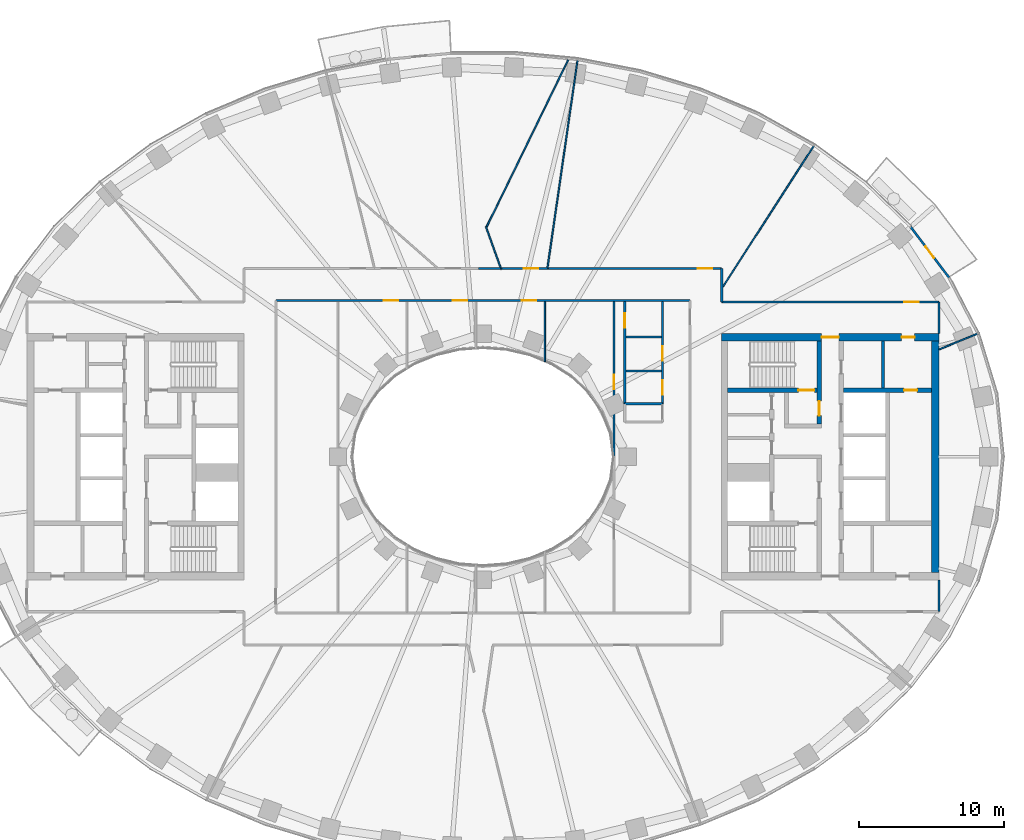
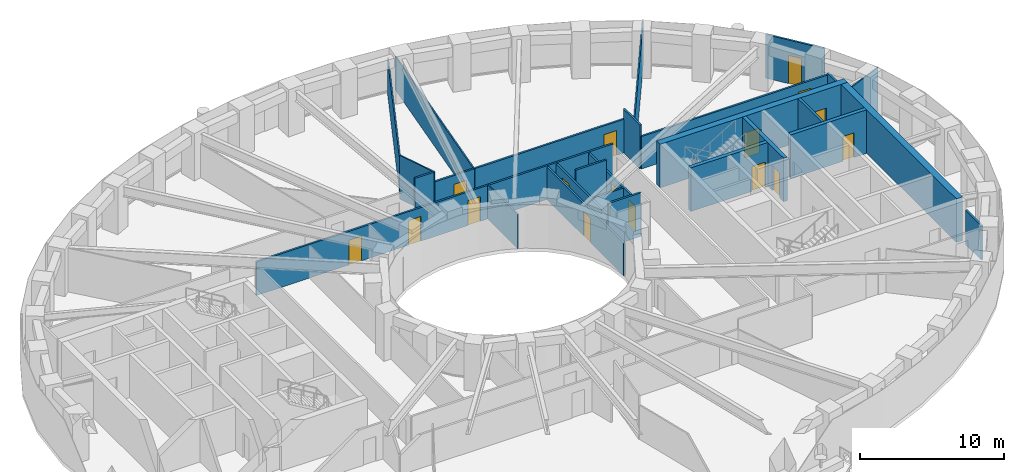
# One storey, part 6 of 16: 27 walls, 16 doors, 16 openings.
"""IFC4 building model written with IfcOpenShell, lengths in metres."""

from ifc_helpers import new_model, si_unit, direction, frame, frame_2d, origin, place, context, subcontext, project, spatial, rectangle, extrude, material, layer, layer_set, type_object, element, fill, save


model = new_model("IFC4")

# Units and contexts
model_context = context("Model", 3, precision=1e-05, world=origin(), true_north=direction((0.0, 1.0)))
body_context = subcontext(model_context, "Body", "Model", "MODEL_VIEW")
ifc_project = project(units=[si_unit("LENGTHUNIT", "METRE"), si_unit("AREAUNIT", "SQUARE_METRE"), si_unit("VOLUMEUNIT", "CUBIC_METRE"), si_unit("PLANEANGLEUNIT", "RADIAN"), si_unit("MASSUNIT", "GRAM", prefix="KILO")], contexts=[model_context])

# Site, building, storey
site_placement = place(None, origin())
site = spatial("IfcSite", under=ifc_project, at=site_placement, CompositionType="ELEMENT")
building_placement = place(site_placement, origin())
building = spatial("IfcBuilding", under=site, at=building_placement, Name="Noorbagh Ring Tower", CompositionType="ELEMENT")
storey_placement = place(building_placement, frame((0.0, 0.0, 108.0)))
storey = spatial("IfcBuildingStorey", under=building, at=storey_placement, Name="L24", CompositionType="ELEMENT", Elevation=108.0)

# Walls
ifc_material_1 = material(Name="Gypsum board on steel studs", Category="steel")
ifc_layer_1 = layer(ifc_material_1, 0.14990234375)
ifc_layer_set_1 = layer_set([ifc_layer_1], Name="Gypsum board on steel studs")
wall_type_1 = type_object("IfcWallType", Name="COMPARTMENT PARTITION 150 EI 60", PredefinedType="PARTITIONING", material=ifc_layer_set_1)
wall_1_placement = place(storey_placement, frame((9.800048828125, 3.659912109375, 0.0), z_axis=(0.0, 0.0, 1.0), x_axis=(1.0, 0.0, 0.0)))
element("IfcWall", 1, at=wall_1_placement, inside=storey, type_object=wall_type_1, Name="L24/wall/P41", PredefinedType="PARTITIONING", context=body_context, shape_type="SweptSolid", body=[
    extrude(rectangle(XDim=2.599853515625, YDim=0.14990234375, at=frame_2d((1.2998046875, 0.0))), origin(), (0.0, 0.0, 1.0), 3.699951171875),
])
ifc_material_2 = material(Name="Gypsum board on steel studs", Category="steel")
ifc_layer_2 = layer(ifc_material_2, 0.199951171875)
ifc_layer_set_2 = layer_set([ifc_layer_2], Name="Gypsum board on steel studs")
wall_type_2 = type_object("IfcWallType", Name="CORE-PARTITION-200", PredefinedType="PARTITIONING", material=ifc_layer_set_2)
wall_2_placement = place(storey_placement, frame((27.64990234375, 4.75, 0.0), z_axis=(0.0, 0.0, 1.0), x_axis=(0.0, 1.0, 0.0)))
element("IfcWall", 2, at=wall_2_placement, inside=storey, type_object=wall_type_2, Name="Core partition E", PredefinedType="PARTITIONING", context=body_context, shape_type="SweptSolid", body=[
    extrude(rectangle(XDim=3.25, YDim=0.199951171875, at=frame_2d((1.625, 0.0))), origin(), (0.0, 0.0, 1.0), 3.699951171875),
])

# Wall, opening, door
ifc_material_3 = material(Name="Concrete C70/85", Category="concrete")
ifc_layer_3 = layer(ifc_material_3, 0.300048828125)
ifc_layer_set_3 = layer_set([ifc_layer_3], Name="Concrete C70/85")
wall_type_3 = type_object("IfcWallType", Name="CORE-WALL-300-C70-85-EI240", PredefinedType="SHEAR", material=ifc_layer_set_3)
wall_3_placement = place(storey_placement, frame((24.89990234375, 4.60009765625, 0.0), z_axis=(0.0, 0.0, 1.0), x_axis=(1.0, 0.0, 0.0)))
wall_3 = element("IfcWall", 3, at=wall_3_placement, inside=storey, type_object=wall_type_3, Name="Core wall E", PredefinedType="SHEAR", context=body_context, shape_type="SweptSolid", body=[
    extrude(rectangle(XDim=6.10009765625, YDim=0.300048828125, at=frame_2d((3.050048828125, 0.0))), origin(), (0.0, 0.0, 1.0), 3.699951171875),
])
opening_1_placement = place(wall_3_placement, frame((4.199951171875, 0.0, 0.0)))
opening_1 = element("IfcOpeningElement", 4, at=opening_1_placement, cuts=wall_3, Name="Opening L24-CE18", PredefinedType="OPENING", context=body_context, shape_type="SweptSolid", body=[
    extrude(rectangle(XDim=0.89990234375, YDim=2.10009765625, at=frame_2d((0.449951171875, 1.050048828125))), frame((0.0, 0.16015625, 0.0), z_axis=(0.0, -1.0, 0.0), x_axis=(1.0, 0.0, 0.0)), (0.0, 0.0, 1.0), 0.320068359375),
])
ifc_material_4 = material(Name="Steel door leaf", Category="steel")
door_type_1 = type_object("IfcDoorType", Name="CORE-DOOR-DROOM", OperationType="SINGLE_SWING_LEFT", PredefinedType="DOOR", material=ifc_material_4)
door_1_placement = place(opening_1_placement, origin())
door_1 = element("IfcDoor", 5, at=door_1_placement, inside=storey, type_object=door_type_1, Name="Core room door L24-CE18", OperationType="SINGLE_SWING_RIGHT", OverallHeight=2.10009765625, OverallWidth=0.89990234375, PredefinedType="DOOR", context=body_context, shape_type="SweptSolid", body=[
    extrude(rectangle(XDim=0.89990234375, YDim=2.10009765625, at=frame_2d((0.449951171875, 1.050048828125))), frame((0.0, 0.02490234375, 0.0), z_axis=(0.0, -1.0, 0.0), x_axis=(1.0, 0.0, 0.0)), (0.0, 0.0, 1.0), 0.050048828125),
])
fill(opening_1, door_1)

wall_4_placement = place(storey_placement, frame((23.22998046875, 2.25, 0.0), z_axis=(0.0, 0.0, 1.0), x_axis=(0.0, 1.0, 0.0)))
wall_4 = element("IfcWall", 6, at=wall_4_placement, inside=storey, type_object=wall_type_3, Name="Core wall E", PredefinedType="SHEAR", context=body_context, shape_type="SweptSolid", body=[
    extrude(rectangle(XDim=5.75, YDim=0.300048828125, at=frame_2d((2.875, 0.0))), origin(), (0.0, 0.0, 1.0), 3.699951171875),
])
opening_2_placement = place(wall_4_placement, frame((0.60009765625, 0.0, 0.0)))
opening_2 = element("IfcOpeningElement", 7, at=opening_2_placement, cuts=wall_4, Name="Opening L24-CE08", PredefinedType="OPENING", context=body_context, shape_type="SweptSolid", body=[
    extrude(rectangle(XDim=1.0, YDim=2.10009765625, at=frame_2d((0.5, 1.050048828125))), frame((0.0, 0.16015625, 0.0), z_axis=(0.0, -1.0, 0.0), x_axis=(1.0, 0.0, 0.0)), (0.0, 0.0, 1.0), 0.320068359375),
])
ifc_material_5 = material(Name="Steel door leaf", Category="steel")
door_type_2 = type_object("IfcDoorType", Name="CORE-DOOR-DVEST", OperationType="SINGLE_SWING_LEFT", PredefinedType="DOOR", material=ifc_material_5)
door_2_placement = place(opening_2_placement, origin())
door_2 = element("IfcDoor", 8, at=door_2_placement, inside=storey, type_object=door_type_2, Name="Stair vestibule door L24-CE08", OperationType="SINGLE_SWING_RIGHT", OverallHeight=2.10009765625, OverallWidth=1.0, PredefinedType="DOOR", context=body_context, shape_type="SweptSolid", body=[
    extrude(rectangle(XDim=1.0, YDim=2.10009765625, at=frame_2d((0.5, 1.050048828125))), frame((0.0, 0.02490234375, 0.0), z_axis=(0.0, -1.0, 0.0), x_axis=(1.0, 0.0, 0.0)), (0.0, 0.0, 1.0), 0.050048828125),
])
fill(opening_2, door_2)

wall_5_placement = place(storey_placement, frame((16.89990234375, 4.60009765625, 0.0), z_axis=(0.0, 0.0, 1.0), x_axis=(1.0, 0.0, 0.0)))
wall_5 = element("IfcWall", 9, at=wall_5_placement, inside=storey, type_object=wall_type_3, Name="Core wall E", PredefinedType="SHEAR", context=body_context, shape_type="SweptSolid", body=[
    extrude(rectangle(XDim=6.18017578125, YDim=0.300048828125, at=frame_2d((3.090087890625, 0.0))), origin(), (0.0, 0.0, 1.0), 3.699951171875),
])
opening_3_placement = place(wall_5_placement, frame((4.89990234375, 0.0, 0.0)))
opening_3 = element("IfcOpeningElement", 10, at=opening_3_placement, cuts=wall_5, Name="Opening L24-CE05", PredefinedType="OPENING", context=body_context, shape_type="SweptSolid", body=[
    extrude(rectangle(XDim=1.10009765625, YDim=2.10009765625, at=frame_2d((0.550048828125, 1.050048828125))), frame((0.0, 0.16015625, 0.0), z_axis=(0.0, -1.0, 0.0), x_axis=(1.0, 0.0, 0.0)), (0.0, 0.0, 1.0), 0.320068359375),
])
ifc_material_6 = material(Name="Steel door leaf", Category="steel")
door_type_3 = type_object("IfcDoorType", Name="CORE-DOOR-DSTAIR", OperationType="SINGLE_SWING_LEFT", PredefinedType="DOOR", material=ifc_material_6)
door_3_placement = place(opening_3_placement, origin())
door_3 = element("IfcDoor", 11, at=door_3_placement, inside=storey, type_object=door_type_3, Name="Stair door ST3 L24-CE05", OperationType="SINGLE_SWING_LEFT", OverallHeight=2.10009765625, OverallWidth=1.10009765625, PredefinedType="DOOR", context=body_context, shape_type="SweptSolid", body=[
    extrude(rectangle(XDim=1.10009765625, YDim=2.10009765625, at=frame_2d((0.550048828125, 1.050048828125))), frame((0.0, 0.02490234375, 0.0), z_axis=(0.0, -1.0, 0.0), x_axis=(1.0, 0.0, 0.0)), (0.0, 0.0, 1.0), 0.050048828125),
])
fill(opening_3, door_3)

# Wall, openings, doors
ifc_material_7 = material(Name="Concrete C70/85", Category="concrete")
ifc_layer_4 = layer(ifc_material_7, 0.5)
ifc_layer_set_4 = layer_set([ifc_layer_4], Name="Concrete C70/85")
wall_type_4 = type_object("IfcWallType", Name="CORE-WALL-500-C70-85-EI240", PredefinedType="SHEAR", material=ifc_layer_set_4)
wall_6_placement = place(storey_placement, frame((16.5, 8.25, 0.0), z_axis=(0.0, 0.0, 1.0), x_axis=(1.0, 0.0, 0.0)))
wall_6 = element("IfcWall", 12, at=wall_6_placement, inside=storey, type_object=wall_type_4, Name="Core wall E", PredefinedType="SHEAR", context=body_context, shape_type="SweptSolid", body=[
    extrude(rectangle(XDim=15.0, YDim=0.5, at=frame_2d((7.5, 0.0))), origin(), (0.0, 0.0, 1.0), 3.699951171875),
])
opening_4_placement = place(wall_6_placement, frame((6.89990234375, 0.0, 0.0)))
opening_4 = element("IfcOpeningElement", 13, at=opening_4_placement, cuts=wall_6, Name="Opening L24-CE09", PredefinedType="OPENING", context=body_context, shape_type="SweptSolid", body=[
    extrude(rectangle(XDim=1.199951171875, YDim=2.10009765625, at=frame_2d((0.60009765625, 1.050048828125))), frame((0.0, 0.260009765625, 0.0), z_axis=(0.0, -1.0, 0.0), x_axis=(1.0, 0.0, 0.0)), (0.0, 0.0, 1.0), 0.52001953125),
])
opening_5_placement = place(wall_6_placement, frame((12.425048828125, 0.0, 0.0)))
opening_5 = element("IfcOpeningElement", 14, at=opening_5_placement, cuts=wall_6, Name="Opening L24-CE15", PredefinedType="OPENING", context=body_context, shape_type="SweptSolid", body=[
    extrude(rectangle(XDim=0.89990234375, YDim=2.10009765625, at=frame_2d((0.449951171875, 1.050048828125))), frame((0.0, 0.260009765625, 0.0), z_axis=(0.0, -1.0, 0.0), x_axis=(1.0, 0.0, 0.0)), (0.0, 0.0, 1.0), 0.52001953125),
])
door_4_placement = place(opening_5_placement, origin())
door_4 = element("IfcDoor", 15, at=door_4_placement, inside=storey, type_object=door_type_1, Name="Core room door L24-CE15", OperationType="SINGLE_SWING_LEFT", OverallHeight=2.10009765625, OverallWidth=0.89990234375, PredefinedType="DOOR", context=body_context, shape_type="SweptSolid", body=[
    extrude(rectangle(XDim=0.89990234375, YDim=2.10009765625, at=frame_2d((0.449951171875, 1.050048828125))), frame((0.0, 0.02490234375, 0.0), z_axis=(0.0, -1.0, 0.0), x_axis=(1.0, 0.0, 0.0)), (0.0, 0.0, 1.0), 0.050048828125),
])
fill(opening_5, door_4)
ifc_material_8 = material(Name="Steel door leaf", Category="steel")
door_type_4 = type_object("IfcDoorType", Name="CORE-DOOR-PORT", OperationType="DOUBLE_DOOR_DOUBLE_SWING", PredefinedType="DOOR", material=ifc_material_8)
door_5_placement = place(opening_4_placement, origin())
door_5 = element("IfcDoor", 16, at=door_5_placement, inside=storey, type_object=door_type_4, Name="Core entrance door L24-CE09", OperationType="DOUBLE_DOOR_DOUBLE_SWING", OverallHeight=2.10009765625, OverallWidth=1.199951171875, PredefinedType="DOOR", context=body_context, shape_type="SweptSolid", body=[
    extrude(rectangle(XDim=1.199951171875, YDim=2.10009765625, at=frame_2d((0.60009765625, 1.050048828125))), frame((0.0, 0.02490234375, 0.0), z_axis=(0.0, -1.0, 0.0), x_axis=(1.0, 0.0, 0.0)), (0.0, 0.0, 1.0), 0.050048828125),
])
fill(opening_4, door_5)

# Wall
wall_7_placement = place(storey_placement, frame((31.25, -8.0, 0.0), z_axis=(0.0, 0.0, 1.0), x_axis=(0.0, 1.0, 0.0)))
element("IfcWall", 17, at=wall_7_placement, inside=storey, type_object=wall_type_4, Name="Core wall E", PredefinedType="SHEAR", context=body_context, shape_type="SweptSolid", body=[
    extrude(rectangle(XDim=16.0, YDim=0.5, at=frame_2d((8.0, 0.0))), origin(), (0.0, 0.0, 1.0), 3.699951171875),
])

# Wall, openings, doors
ifc_material_9 = material(Name="Gypsum board on steel studs", Category="steel")
ifc_layer_5 = layer(ifc_material_9, 0.14990234375)
ifc_layer_set_5 = layer_set([ifc_layer_5], Name="Gypsum board on steel studs")
wall_type_5 = type_object("IfcWallType", Name="CORRIDOR PARTITION 150 EI 30", PredefinedType="PARTITIONING", material=ifc_layer_set_5)
wall_8_placement = place(storey_placement, frame((-14.300048828125, 10.800048828125, 0.0), z_axis=(0.0, 0.0, 1.0), x_axis=(1.0, 0.0, 0.0)))
wall_8 = element("IfcWall", 18, at=wall_8_placement, inside=storey, type_object=wall_type_5, Name="L24/wall/P15", PredefinedType="PARTITIONING", context=body_context, shape_type="SweptSolid", body=[
    extrude(rectangle(XDim=28.60009765625, YDim=0.14990234375, at=frame_2d((14.300048828125, 0.0))), origin(), (0.0, 0.0, 1.0), 2.85009765625),
])
opening_6_placement = place(wall_8_placement, frame((7.43994140625, 0.0, 0.0)))
opening_6 = element("IfcOpeningElement", 19, at=opening_6_placement, cuts=wall_8, Name="Opening D1", PredefinedType="OPENING", context=body_context, shape_type="SweptSolid", body=[
    extrude(rectangle(XDim=1.0, YDim=2.10009765625, at=frame_2d((0.5, 1.050048828125))), frame((0.0, 0.0849609375, 0.0), z_axis=(0.0, -1.0, 0.0), x_axis=(1.0, 0.0, 0.0)), (0.0, 0.0, 1.0), 0.169921875),
])
opening_7_placement = place(wall_8_placement, frame((12.20703125, 0.0, 0.0)))
opening_7 = element("IfcOpeningElement", 20, at=opening_7_placement, cuts=wall_8, Name="Opening D1", PredefinedType="OPENING", context=body_context, shape_type="SweptSolid", body=[
    extrude(rectangle(XDim=1.0, YDim=2.10009765625, at=frame_2d((0.5, 1.050048828125))), frame((0.0, 0.0849609375, 0.0), z_axis=(0.0, -1.0, 0.0), x_axis=(1.0, 0.0, 0.0)), (0.0, 0.0, 1.0), 0.169921875),
])
opening_8_placement = place(wall_8_placement, frame((16.972900390625, 0.0, 0.0)))
opening_8 = element("IfcOpeningElement", 21, at=opening_8_placement, cuts=wall_8, Name="Opening D1", PredefinedType="OPENING", context=body_context, shape_type="SweptSolid", body=[
    extrude(rectangle(XDim=1.0, YDim=2.10009765625, at=frame_2d((0.5, 1.050048828125))), frame((0.0, 0.0849609375, 0.0), z_axis=(0.0, -1.0, 0.0), x_axis=(1.0, 0.0, 0.0)), (0.0, 0.0, 1.0), 0.169921875),
])
ifc_material_10 = material(Name="Timber, painted", Category="wood")
door_type_5 = type_object("IfcDoorType", Name="DOOR 1000 X 2100 FD30", OperationType="SINGLE_SWING_LEFT", PredefinedType="DOOR", material=ifc_material_10)
door_6_placement = place(opening_6_placement, origin())
door_6 = element("IfcDoor", 22, at=door_6_placement, inside=storey, type_object=door_type_5, Name="L24-D20", OperationType="SINGLE_SWING_RIGHT", OverallHeight=2.10009765625, OverallWidth=1.0, PredefinedType="DOOR", context=body_context, shape_type="SweptSolid", body=[
    extrude(rectangle(XDim=1.0, YDim=2.10009765625, at=frame_2d((0.5, 1.050048828125))), frame((0.0, 0.02490234375, 0.0), z_axis=(0.0, -1.0, 0.0), x_axis=(1.0, 0.0, 0.0)), (0.0, 0.0, 1.0), 0.050048828125),
])
fill(opening_6, door_6)
door_7_placement = place(opening_7_placement, origin())
door_7 = element("IfcDoor", 23, at=door_7_placement, inside=storey, type_object=door_type_5, Name="L24-D22", OperationType="SINGLE_SWING_RIGHT", OverallHeight=2.10009765625, OverallWidth=1.0, PredefinedType="DOOR", context=body_context, shape_type="SweptSolid", body=[
    extrude(rectangle(XDim=1.0, YDim=2.10009765625, at=frame_2d((0.5, 1.050048828125))), frame((0.0, 0.02490234375, 0.0), z_axis=(0.0, -1.0, 0.0), x_axis=(1.0, 0.0, 0.0)), (0.0, 0.0, 1.0), 0.050048828125),
])
fill(opening_7, door_7)
door_8_placement = place(opening_8_placement, origin())
door_8 = element("IfcDoor", 24, at=door_8_placement, inside=storey, type_object=door_type_5, Name="L24-D24", OperationType="SINGLE_SWING_RIGHT", OverallHeight=2.10009765625, OverallWidth=1.0, PredefinedType="DOOR", context=body_context, shape_type="SweptSolid", body=[
    extrude(rectangle(XDim=1.0, YDim=2.10009765625, at=frame_2d((0.5, 1.050048828125))), frame((0.0, 0.02490234375, 0.0), z_axis=(0.0, -1.0, 0.0), x_axis=(1.0, 0.0, 0.0)), (0.0, 0.0, 1.0), 0.050048828125),
])
fill(opening_8, door_8)

# Wall
wall_9_placement = place(storey_placement, frame((-0.294921875, 13.0, 0.0), z_axis=(0.0, 0.0, 1.0), x_axis=(1.0, 0.0, 0.0)))
element("IfcWall", 25, at=wall_9_placement, inside=storey, type_object=wall_type_5, Name="L24/wall/P25", PredefinedType="PARTITIONING", context=body_context, shape_type="SweptSolid", body=[
    extrude(rectangle(XDim=1.52880859375, YDim=0.14990234375, at=frame_2d((0.764404296875, 0.0))), origin(), (0.0, 0.0, 1.0), 3.699951171875),
])

# Wall, opening, door
wall_10_placement = place(storey_placement, frame((1.299072265625, 13.0, 0.0), z_axis=(0.0, 0.0, 1.0), x_axis=(1.0, 0.0, 0.0)))
wall_10 = element("IfcWall", 26, at=wall_10_placement, inside=storey, type_object=wall_type_5, Name="L24/wall/P32", PredefinedType="PARTITIONING", context=body_context, shape_type="SweptSolid", body=[
    extrude(rectangle(XDim=3.159912109375, YDim=0.14990234375, at=frame_2d((1.580078125, 0.0))), origin(), (0.0, 0.0, 1.0), 2.85009765625),
])
opening_9_placement = place(wall_10_placement, frame((1.530029296875, 0.0, 0.0)))
opening_9 = element("IfcOpeningElement", 27, at=opening_9_placement, cuts=wall_10, Name="Opening D1", PredefinedType="OPENING", context=body_context, shape_type="SweptSolid", body=[
    extrude(rectangle(XDim=1.0, YDim=2.10009765625, at=frame_2d((0.5, 1.050048828125))), frame((0.0, 0.0849609375, 0.0), z_axis=(0.0, -1.0, 0.0), x_axis=(1.0, 0.0, 0.0)), (0.0, 0.0, 1.0), 0.169921875),
])
door_9_placement = place(opening_9_placement, origin())
door_9 = element("IfcDoor", 28, at=door_9_placement, inside=storey, type_object=door_type_5, Name="L24-D13", OperationType="SINGLE_SWING_LEFT", OverallHeight=2.10009765625, OverallWidth=1.0, PredefinedType="DOOR", context=body_context, shape_type="SweptSolid", body=[
    extrude(rectangle(XDim=1.0, YDim=2.10009765625, at=frame_2d((0.5, 1.050048828125))), frame((0.0, 0.02490234375, 0.0), z_axis=(0.0, -1.0, 0.0), x_axis=(1.0, 0.0, 0.0)), (0.0, 0.0, 1.0), 0.050048828125),
])
fill(opening_9, door_9)

wall_11_placement = place(storey_placement, frame((4.47900390625, 13.0, 0.0), z_axis=(0.0, 0.0, 1.0), x_axis=(1.0, 0.0, 0.0)))
wall_11 = element("IfcWall", 29, at=wall_11_placement, inside=storey, type_object=wall_type_5, Name="L24/wall/P36", PredefinedType="PARTITIONING", context=body_context, shape_type="SweptSolid", body=[
    extrude(rectangle(XDim=12.02099609375, YDim=0.14990234375, at=frame_2d((6.010498046875, 0.0))), origin(), (0.0, 0.0, 1.0), 2.85009765625),
])
opening_10_placement = place(wall_11_placement, frame((10.37109375, 0.0, 0.0)))
opening_10 = element("IfcOpeningElement", 30, at=opening_10_placement, cuts=wall_11, Name="Opening D1", PredefinedType="OPENING", context=body_context, shape_type="SweptSolid", body=[
    extrude(rectangle(XDim=1.0, YDim=2.10009765625, at=frame_2d((0.5, 1.050048828125))), frame((0.0, 0.0849609375, 0.0), z_axis=(0.0, -1.0, 0.0), x_axis=(1.0, 0.0, 0.0)), (0.0, 0.0, 1.0), 0.169921875),
])
door_10_placement = place(opening_10_placement, origin())
door_10 = element("IfcDoor", 31, at=door_10_placement, inside=storey, type_object=door_type_5, Name="L24-D15", OperationType="SINGLE_SWING_LEFT", OverallHeight=2.10009765625, OverallWidth=1.0, PredefinedType="DOOR", context=body_context, shape_type="SweptSolid", body=[
    extrude(rectangle(XDim=1.0, YDim=2.10009765625, at=frame_2d((0.5, 1.050048828125))), frame((0.0, 0.02490234375, 0.0), z_axis=(0.0, -1.0, 0.0), x_axis=(1.0, 0.0, 0.0)), (0.0, 0.0, 1.0), 0.050048828125),
])
fill(opening_10, door_10)

wall_12_placement = place(storey_placement, frame((9.056884765625, 0.044921875, 0.0), z_axis=(0.0, 0.0, 1.0), x_axis=(0.0, 1.0, 0.0)))
wall_12 = element("IfcWall", 32, at=wall_12_placement, inside=storey, type_object=wall_type_5, Name="L24/wall/P38", PredefinedType="PARTITIONING", context=body_context, shape_type="SweptSolid", body=[
    extrude(rectangle(XDim=10.68017578125, YDim=0.14990234375, at=frame_2d((5.340087890625, 0.0))), origin(), (0.0, 0.0, 1.0), 2.75),
])
opening_11_placement = place(wall_12_placement, frame((4.60498046875, 0.0, 0.0)))
opening_11 = element("IfcOpeningElement", 33, at=opening_11_placement, cuts=wall_12, Name="Opening D1", PredefinedType="OPENING", context=body_context, shape_type="SweptSolid", body=[
    extrude(rectangle(XDim=1.0, YDim=2.10009765625, at=frame_2d((0.5, 1.050048828125))), frame((0.0, 0.0849609375, 0.0), z_axis=(0.0, -1.0, 0.0), x_axis=(1.0, 0.0, 0.0)), (0.0, 0.0, 1.0), 0.169921875),
])
door_11_placement = place(opening_11_placement, origin())
door_11 = element("IfcDoor", 34, at=door_11_placement, inside=storey, type_object=door_type_5, Name="L24-D26", OperationType="SINGLE_SWING_RIGHT", OverallHeight=2.10009765625, OverallWidth=1.0, PredefinedType="DOOR", context=body_context, shape_type="SweptSolid", body=[
    extrude(rectangle(XDim=1.0, YDim=2.10009765625, at=frame_2d((0.5, 1.050048828125))), frame((0.0, 0.02490234375, 0.0), z_axis=(0.0, -1.0, 0.0), x_axis=(1.0, 0.0, 0.0)), (0.0, 0.0, 1.0), 0.050048828125),
])
fill(opening_11, door_11)

wall_13_placement = place(storey_placement, frame((9.800048828125, 3.659912109375, 0.0), z_axis=(0.0, 0.0, 1.0), x_axis=(0.0, 1.0, 0.0)))
wall_13 = element("IfcWall", 35, at=wall_13_placement, inside=storey, type_object=wall_type_5, Name="L24/wall/P40", PredefinedType="PARTITIONING", context=body_context, shape_type="SweptSolid", body=[
    extrude(rectangle(XDim=7.065185546875, YDim=0.14990234375, at=frame_2d((3.53271484375, 0.0))), origin(), (0.0, 0.0, 1.0), 2.75),
])
opening_12_placement = place(wall_13_placement, frame((5.27001953125, 0.0, 0.0)))
opening_12 = element("IfcOpeningElement", 36, at=opening_12_placement, cuts=wall_13, Name="Opening D3", PredefinedType="OPENING", context=body_context, shape_type="SweptSolid", body=[
    extrude(rectangle(XDim=1.0, YDim=2.10009765625, at=frame_2d((0.5, 1.050048828125))), frame((0.0, 0.0849609375, 0.0), z_axis=(0.0, -1.0, 0.0), x_axis=(1.0, 0.0, 0.0)), (0.0, 0.0, 1.0), 0.169921875),
])
ifc_material_11 = material(Name="Timber, painted", Category="wood")
door_type_6 = type_object("IfcDoorType", Name="DOOR 1000 X 2100 WC", OperationType="SINGLE_SWING_LEFT", PredefinedType="DOOR", material=ifc_material_11)
door_12_placement = place(opening_12_placement, origin())
door_12 = element("IfcDoor", 37, at=door_12_placement, inside=storey, type_object=door_type_6, Name="L24-D02", OperationType="SINGLE_SWING_RIGHT", OverallHeight=2.10009765625, OverallWidth=1.0, PredefinedType="DOOR", context=body_context, shape_type="SweptSolid", body=[
    extrude(rectangle(XDim=1.0, YDim=2.10009765625, at=frame_2d((0.5, 1.050048828125))), frame((0.0, 0.02490234375, 0.0), z_axis=(0.0, -1.0, 0.0), x_axis=(1.0, 0.0, 0.0)), (0.0, 0.0, 1.0), 0.050048828125),
])
fill(opening_12, door_12)

# Walls
wall_14_placement = place(storey_placement, frame((9.875, 5.927978515625, 0.0), z_axis=(0.0, 0.0, 1.0), x_axis=(1.0, 0.0, 0.0)))
element("IfcWall", 38, at=wall_14_placement, inside=storey, type_object=wall_type_5, Name="L24/wall/P42", PredefinedType="PARTITIONING", context=body_context, shape_type="SweptSolid", body=[
    extrude(rectangle(XDim=2.449951171875, YDim=0.14990234375, at=frame_2d((1.22509765625, 0.0))), origin(), (0.0, 0.0, 1.0), 2.75),
])
wall_15_placement = place(storey_placement, frame((9.875, 8.280029296875, 0.0), z_axis=(0.0, 0.0, 1.0), x_axis=(1.0, 0.0, 0.0)))
element("IfcWall", 39, at=wall_15_placement, inside=storey, type_object=wall_type_5, Name="L24/wall/P43", PredefinedType="PARTITIONING", context=body_context, shape_type="SweptSolid", body=[
    extrude(rectangle(XDim=2.449951171875, YDim=0.14990234375, at=frame_2d((1.22509765625, 0.0))), origin(), (0.0, 0.0, 1.0), 3.699951171875),
])

# Wall, openings, doors
wall_16_placement = place(storey_placement, frame((12.39990234375, 3.659912109375, 0.0), z_axis=(0.0, 0.0, 1.0), x_axis=(0.0, 1.0, 0.0)))
wall_16 = element("IfcWall", 40, at=wall_16_placement, inside=storey, type_object=wall_type_5, Name="L24/wall/P48", PredefinedType="PARTITIONING", context=body_context, shape_type="SweptSolid", body=[
    extrude(rectangle(XDim=7.065185546875, YDim=0.14990234375, at=frame_2d((3.53271484375, 0.0))), origin(), (0.0, 0.0, 1.0), 2.75),
])
opening_13_placement = place(wall_16_placement, frame((2.969970703125, 0.0, 0.0)))
opening_13 = element("IfcOpeningElement", 41, at=opening_13_placement, cuts=wall_16, Name="Opening D3", PredefinedType="OPENING", context=body_context, shape_type="SweptSolid", body=[
    extrude(rectangle(XDim=1.0, YDim=2.10009765625, at=frame_2d((0.5, 1.050048828125))), frame((0.0, 0.0849609375, 0.0), z_axis=(0.0, -1.0, 0.0), x_axis=(1.0, 0.0, 0.0)), (0.0, 0.0, 1.0), 0.169921875),
])
opening_14_placement = place(wall_16_placement, frame((0.617919921875, 0.0, 0.0)))
opening_14 = element("IfcOpeningElement", 42, at=opening_14_placement, cuts=wall_16, Name="Opening D3", PredefinedType="OPENING", context=body_context, shape_type="SweptSolid", body=[
    extrude(rectangle(XDim=1.0, YDim=2.10009765625, at=frame_2d((0.5, 1.050048828125))), frame((0.0, 0.0849609375, 0.0), z_axis=(0.0, -1.0, 0.0), x_axis=(1.0, 0.0, 0.0)), (0.0, 0.0, 1.0), 0.169921875),
])
door_13_placement = place(opening_13_placement, origin())
door_13 = element("IfcDoor", 43, at=door_13_placement, inside=storey, type_object=door_type_6, Name="L24-D03", OperationType="SINGLE_SWING_LEFT", OverallHeight=2.10009765625, OverallWidth=1.0, PredefinedType="DOOR", context=body_context, shape_type="SweptSolid", body=[
    extrude(rectangle(XDim=1.0, YDim=2.10009765625, at=frame_2d((0.5, 1.050048828125))), frame((0.0, 0.02490234375, 0.0), z_axis=(0.0, -1.0, 0.0), x_axis=(1.0, 0.0, 0.0)), (0.0, 0.0, 1.0), 0.050048828125),
])
fill(opening_13, door_13)
door_14_placement = place(opening_14_placement, origin())
door_14 = element("IfcDoor", 44, at=door_14_placement, inside=storey, type_object=door_type_6, Name="L24-D04", OperationType="SINGLE_SWING_RIGHT", OverallHeight=2.10009765625, OverallWidth=1.0, PredefinedType="DOOR", context=body_context, shape_type="SweptSolid", body=[
    extrude(rectangle(XDim=1.0, YDim=2.10009765625, at=frame_2d((0.5, 1.050048828125))), frame((0.0, 0.02490234375, 0.0), z_axis=(0.0, -1.0, 0.0), x_axis=(1.0, 0.0, 0.0)), (0.0, 0.0, 1.0), 0.050048828125),
])
fill(opening_14, door_14)

# Wall
wall_17_placement = place(storey_placement, frame((16.5, 10.699951171875, 0.0), z_axis=(0.0, 0.0, 1.0), x_axis=(0.0, 1.0, 0.0)))
element("IfcWall", 45, at=wall_17_placement, inside=storey, type_object=wall_type_5, Name="L24/wall/P52", PredefinedType="PARTITIONING", context=body_context, shape_type="SweptSolid", body=[
    extrude(rectangle(XDim=2.300048828125, YDim=0.14990234375, at=frame_2d((1.14990234375, 0.0))), origin(), (0.0, 0.0, 1.0), 3.699951171875),
])

# Wall, opening, door
wall_18_placement = place(storey_placement, frame((16.5, 10.699951171875, 0.0), z_axis=(0.0, 0.0, 1.0), x_axis=(1.0, 0.0, 0.0)))
wall_18 = element("IfcWall", 46, at=wall_18_placement, inside=storey, type_object=wall_type_5, Name="L24/wall/P53", PredefinedType="PARTITIONING", context=body_context, shape_type="SweptSolid", body=[
    extrude(rectangle(XDim=15.0, YDim=0.14990234375, at=frame_2d((7.5, 0.0))), origin(), (0.0, 0.0, 1.0), 2.75),
])
opening_15_placement = place(wall_18_placement, frame((12.60009765625, 0.0, 0.0)))
opening_15 = element("IfcOpeningElement", 47, at=opening_15_placement, cuts=wall_18, Name="Opening D1", PredefinedType="OPENING", context=body_context, shape_type="SweptSolid", body=[
    extrude(rectangle(XDim=1.0, YDim=2.10009765625, at=frame_2d((0.5, 1.050048828125))), frame((0.0, 0.0849609375, 0.0), z_axis=(0.0, -1.0, 0.0), x_axis=(1.0, 0.0, 0.0)), (0.0, 0.0, 1.0), 0.169921875),
])
door_15_placement = place(opening_15_placement, origin())
door_15 = element("IfcDoor", 48, at=door_15_placement, inside=storey, type_object=door_type_5, Name="L24-D17", OperationType="SINGLE_SWING_LEFT", OverallHeight=2.10009765625, OverallWidth=1.0, PredefinedType="DOOR", context=body_context, shape_type="SweptSolid", body=[
    extrude(rectangle(XDim=1.0, YDim=2.10009765625, at=frame_2d((0.5, 1.050048828125))), frame((0.0, 0.02490234375, 0.0), z_axis=(0.0, -1.0, 0.0), x_axis=(1.0, 0.0, 0.0)), (0.0, 0.0, 1.0), 0.050048828125),
])
fill(opening_15, door_15)

# Walls
for number, where, z_axis, x_axis, name in (
    (49, (31.5, -10.699951171875, 0.0), (0.0, 0.0, 1.0), (0.0, 1.0, 0.0), "L24/wall/P56"),
    (50, (31.5, 8.5, 0.0), (0.0, 0.0, 1.0), (0.0, 1.0, 0.0), "L24/wall/P58"),
):
    element("IfcWall", number, at=place(storey_placement, frame(where, z_axis=z_axis, x_axis=x_axis)), inside=storey, type_object=wall_type_5, Name=name, PredefinedType="PARTITIONING", context=body_context, shape_type="SweptSolid", body=[
        extrude(rectangle(XDim=2.199951171875, YDim=0.14990234375, at=frame_2d((1.10009765625, 0.0))), origin(), (0.0, 0.0, 1.0), 2.89990234375),
    ])

# Wall, opening, door
ifc_material_12 = material(Name="Insulated aluminium clad panel", Category="aluminium")
ifc_layer_6 = layer(ifc_material_12, 0.14990234375)
ifc_layer_set_6 = layer_set([ifc_layer_6], Name="Insulated aluminium clad panel")
wall_type_6 = type_object("IfcWallType", Name="ENV-WALL-DOOR", PredefinedType="STANDARD", material=ifc_layer_set_6)
wall_19_placement = place(storey_placement, frame((32.20751953125, 12.37353515625, 0.0), z_axis=(0.0, 0.0, 1.0), x_axis=(-0.604045763106, 0.796949632081, 0.0)))
wall_19 = element("IfcWall", 51, at=wall_19_placement, inside=storey, type_object=wall_type_6, Name="Balcony door wall chord 04", PredefinedType="STANDARD", context=body_context, shape_type="SweptSolid", body=[
    extrude(rectangle(XDim=4.42333984375, YDim=0.14990234375, at=frame_2d((2.211669921875, 0.0))), origin(), (0.0, 0.0, 1.0), 3.699951171875),
])
opening_16_placement = place(wall_19_placement, frame((1.711669921875, 0.0, 0.0)))
opening_16 = element("IfcOpeningElement", 52, at=opening_16_placement, cuts=wall_19, Name="Opening D-BL", PredefinedType="OPENING", context=body_context, shape_type="SweptSolid", body=[
    extrude(rectangle(XDim=1.0, YDim=2.39990234375, at=frame_2d((0.5, 1.199951171875))), frame((0.0, 0.0849609375, 0.0), z_axis=(0.0, -1.0, 0.0), x_axis=(1.0, 0.0, 0.0)), (0.0, 0.0, 1.0), 0.169921875),
])
ifc_material_13 = material(Name="Aluminium and glass", Category="aluminium")
door_type_7 = type_object("IfcDoorType", Name="ENV-DOOR-BALCONY", OperationType="SINGLE_SWING_LEFT", PredefinedType="DOOR", material=ifc_material_13)
door_16_placement = place(opening_16_placement, origin())
door_16 = element("IfcDoor", 53, at=door_16_placement, inside=storey, type_object=door_type_7, Name="Balcony door chord 04", OperationType="SINGLE_SWING_LEFT", OverallHeight=2.39990234375, OverallWidth=1.0, PredefinedType="DOOR", context=body_context, shape_type="SweptSolid", body=[
    extrude(rectangle(XDim=1.0, YDim=2.39990234375, at=frame_2d((0.5, 1.199951171875))), frame((0.0, 0.02490234375, 0.0), z_axis=(0.0, -1.0, 0.0), x_axis=(1.0, 0.0, 0.0)), (0.0, 0.0, 1.0), 0.050048828125),
])
fill(opening_16, door_16)

# Walls
ifc_material_14 = material(Name="Gypsum board on steel studs", Category="steel")
ifc_layer_7 = layer(ifc_material_14, 0.10009765625)
ifc_layer_set_7 = layer_set([ifc_layer_7], Name="Gypsum board on steel studs")
wall_type_7 = type_object("IfcWallType", Name="PARTITION 100 GYPSUM", PredefinedType="PARTITIONING", material=ifc_layer_set_7)
wall_20_placement = place(storey_placement, frame((0.20703125, 15.889892578125, 0.0), z_axis=(0.0, 0.0, 1.0), x_axis=(0.338439213009, -0.94098825662, 0.0)))
element("IfcWall", 54, at=wall_20_placement, inside=storey, type_object=wall_type_7, Name="L24/wall/P28", PredefinedType="PARTITIONING", context=body_context, shape_type="SweptSolid", body=[
    extrude(rectangle(XDim=3.146728515625, YDim=0.10009765625, at=frame_2d((1.5732421875, 0.0))), origin(), (0.0, 0.0, 1.0), 3.699951171875),
])
wall_21_placement = place(storey_placement, frame((0.261962890625, 15.886962890625, 0.0), z_axis=(0.0, 0.0, 1.0), x_axis=(0.439206418019, 0.898386176636, 0.0)))
element("IfcWall", 55, at=wall_21_placement, inside=storey, type_object=wall_type_7, Name="L24/wall/P29", PredefinedType="PARTITIONING", context=body_context, shape_type="SweptSolid", body=[
    extrude(rectangle(XDim=12.968994140625, YDim=0.10009765625, at=frame_2d((6.484375, 0.0))), origin(), (0.0, 0.0, 1.0), 2.89990234375),
])
wall_22_placement = place(storey_placement, frame((4.2900390625, 6.568115234375, 0.0), z_axis=(0.0, 0.0, 1.0), x_axis=(0.0, 1.0, 0.0)))
element("IfcWall", 56, at=wall_22_placement, inside=storey, type_object=wall_type_7, Name="L24/wall/P34", PredefinedType="PARTITIONING", context=body_context, shape_type="SweptSolid", body=[
    extrude(rectangle(XDim=4.156982421875, YDim=0.10009765625, at=frame_2d((2.07861328125, 0.0))), origin(), (0.0, 0.0, 1.0), 2.89990234375),
])
wall_23_placement = place(storey_placement, frame((4.458984375, 13.00390625, 0.0), z_axis=(0.0, 0.0, 1.0), x_axis=(0.143087196312, 0.98971008596, 0.0)))
element("IfcWall", 57, at=wall_23_placement, inside=storey, type_object=wall_type_7, Name="L24/wall/P35", PredefinedType="PARTITIONING", context=body_context, shape_type="SweptSolid", body=[
    extrude(rectangle(XDim=14.627685546875, YDim=0.10009765625, at=frame_2d((7.31396484375, 0.0))), origin(), (0.0, 0.0, 1.0), 2.85009765625),
])
wall_24_placement = place(storey_placement, frame((16.574951171875, 11.73291015625, 0.0), z_axis=(0.0, 0.0, 1.0), x_axis=(0.54222594427, 0.840232720953, 0.0)))
element("IfcWall", 58, at=wall_24_placement, inside=storey, type_object=wall_type_7, Name="L24/wall/P54", PredefinedType="PARTITIONING", context=body_context, shape_type="SweptSolid", body=[
    extrude(rectangle(XDim=11.67431640625, YDim=0.10009765625, at=frame_2d((5.837158203125, 0.0))), origin(), (0.0, 0.0, 1.0), 3.699951171875),
])
wall_25_placement = place(storey_placement, frame((31.5, 7.409912109375, 0.0), z_axis=(0.0, 0.0, 1.0), x_axis=(0.925344112436, 0.379128307542, 0.0)))
element("IfcWall", 59, at=wall_25_placement, inside=storey, type_object=wall_type_7, Name="L24/wall/P57", PredefinedType="PARTITIONING", context=body_context, shape_type="SweptSolid", body=[
    extrude(rectangle(XDim=2.954345703125, YDim=0.10009765625, at=frame_2d((1.47705078125, 0.0))), origin(), (0.0, 0.0, 1.0), 3.699951171875),
])

save(model, "model.ifc")
